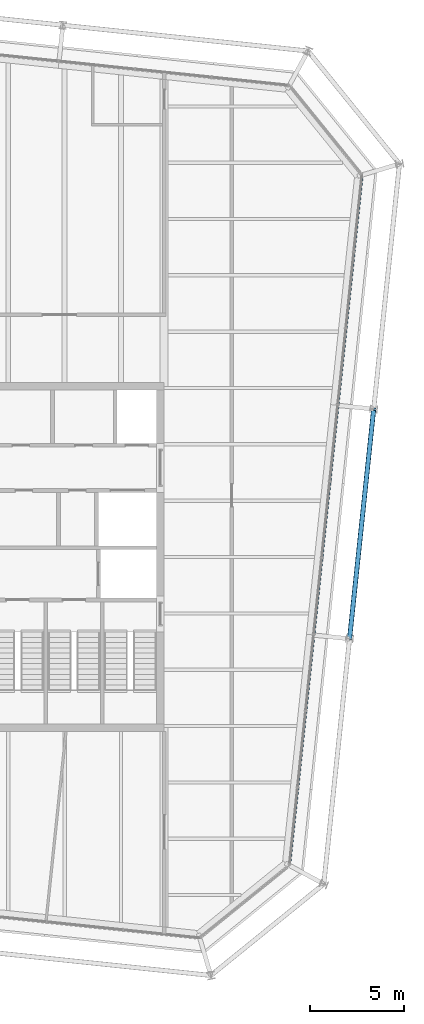
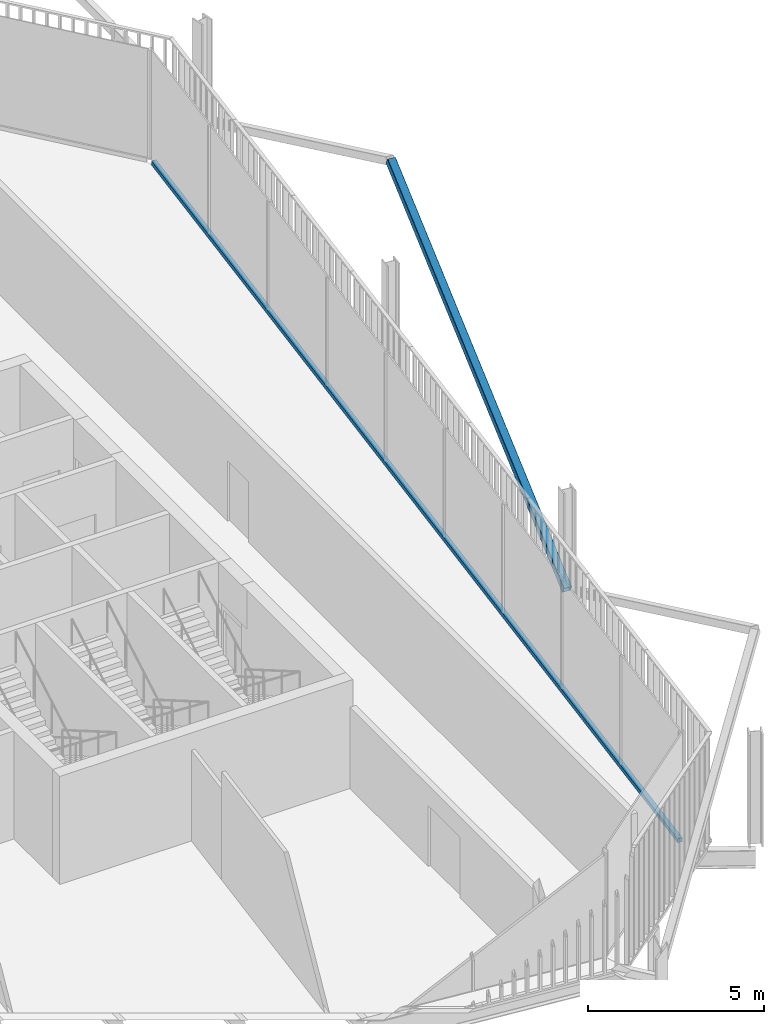
# One storey, part 10 of 21: 2 members, 1 element without a shape of its own.
"""IFC4 building model written with IfcOpenShell, lengths in metres."""

from ifc_helpers import new_model, si_unit, direction, frame, origin, origin_2d, place, context, subcontext, project, spatial, rectangle, hollow_rectangle, extrude, material, layer, layer_set, material_profile, profile_set, type_object, element, aggregate, save


model = new_model("IFC4")

# Units and contexts
model_context = context("Model", 3, precision=1e-05, world=origin(), true_north=direction((0.0, 1.0)))
body_context = subcontext(model_context, "Body", "Model", "MODEL_VIEW")
ifc_project = project(units=[si_unit("LENGTHUNIT", "METRE"), si_unit("AREAUNIT", "SQUARE_METRE"), si_unit("VOLUMEUNIT", "CUBIC_METRE"), si_unit("PLANEANGLEUNIT", "RADIAN"), si_unit("MASSUNIT", "GRAM", prefix="KILO")], contexts=[model_context])

# Site, building, storey
site_placement = place(None, origin())
site = spatial("IfcSite", under=ifc_project, at=site_placement, CompositionType="ELEMENT")
building_placement = place(site_placement, origin())
building = spatial("IfcBuilding", under=site, at=building_placement, Name="Millrace Tower", CompositionType="ELEMENT")
storey_placement = place(building_placement, frame((0.0, 0.0, 291.60009765625)))
storey = spatial("IfcBuildingStorey", under=building, at=storey_placement, Name="L67", CompositionType="ELEMENT", Elevation=291.60009765625)

# Curtain wall, member
ifc_material_1 = material(Name="Aluminium and glass", Category="aluminium")
ifc_layer = layer(ifc_material_1, 0.14990234375)
ifc_layer_set = layer_set([ifc_layer], Name="Aluminium and glass")
curtain_wall_type = type_object("IfcCurtainWallType", Name="CW-1 office vision curtain wall", PredefinedType="NOTDEFINED", material=ifc_layer_set)
curtain_wall_placement = place(storey_placement, origin())
curtain_wall = element("IfcCurtainWall", 1, at=curtain_wall_placement, inside=storey, type_object=curtain_wall_type, Name="Curtain wall E-F04 L67", PredefinedType="NOTDEFINED")
ifc_material_2 = material(Name="Aluminium", Category="aluminium")
ifc_material_profile_1 = material_profile(ifc_material_2, rectangle(XDim=0.14990234375, YDim=0.139892578125, at=origin_2d()))
ifc_profile_set_1 = profile_set([ifc_material_profile_1], Name="Aluminium")
member_type_1 = type_object("IfcMemberType", Name="CW-1 office vision curtain wall transom", PredefinedType="USERDEFINED", material=ifc_profile_set_1)
member_1_placement = place(storey_placement, frame((20.98193359375, -16.285400390625, 0.06982421875), z_axis=(0.104527916025, 0.994521952886, 0.0), x_axis=(-0.994521952886, 0.104527916025, 0.0)))
member_1 = element("IfcMember", 2, at=member_1_placement, type_object=member_type_1, Name="CW1 transom E-F04.1", ObjectType="TRANSOM", PredefinedType="USERDEFINED", context=body_context, shape_type="SweptSolid", body=[
    extrude(rectangle(XDim=0.14990234375, YDim=0.139892578125, at=origin_2d()), origin(), (0.0, 0.0, 1.0), 36.699951171875),
])
aggregate(curtain_wall, [member_1])

# Member
ifc_material_3 = material(Name="Steel ASTM A500 Grade C", Category="steel")
ifc_material_profile_2 = material_profile(ifc_material_3, hollow_rectangle(XDim=0.25390625, YDim=0.25390625, WallThickness=0.0126953125, InnerFilletRadius=0.00634765625, OuterFilletRadius=0.01904296875, at=origin_2d()))
ifc_profile_set_2 = profile_set([ifc_material_profile_2], Name="Steel ASTM A500 Grade C")
member_type_2 = type_object("IfcMemberType", Name="Exoskeleton brace HSS10x10x1/2", PredefinedType="BRACE", material=ifc_profile_set_2)
member_2_placement = place(storey_placement, frame((24.171630859375, -4.353271484375, 0.39990234375), z_axis=(0.090844087175, 0.864347159857, 0.494622420713), x_axis=(-0.994522189618, 0.10452566363, 0.0)))
element("IfcMember", 3, at=member_2_placement, inside=storey, type_object=member_type_2, Name="BRC-E-L67-07", PredefinedType="BRACE", context=body_context, shape_type="SweptSolid", body=[
    extrude(hollow_rectangle(XDim=0.25390625, YDim=0.25390625, WallThickness=0.0126953125, InnerFilletRadius=0.00634765625, OuterFilletRadius=0.01904296875, at=origin_2d()), origin(), (0.0, 0.0, 1.0), 14.152099609375),
])

save(model, "model.ifc")
